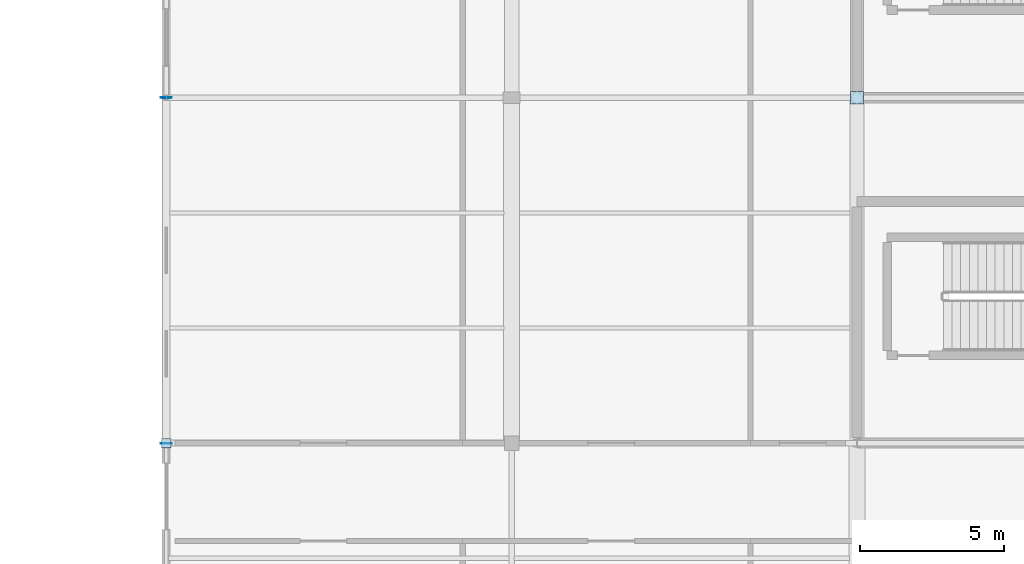
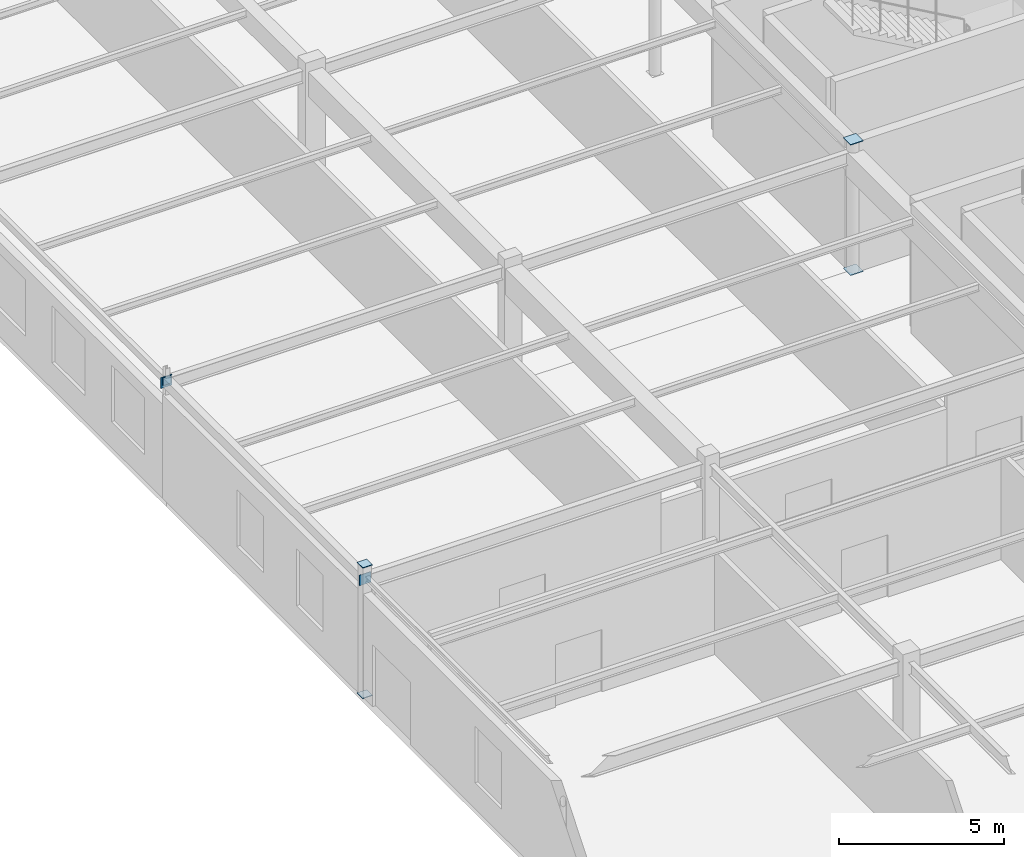
# One storey, part 138 of 199: 7 plates.
"""IFC4 building model written with IfcOpenShell, lengths in metres."""

from ifc_helpers import new_model, si_unit, direction, frame, origin, origin_2d, place, context, subcontext, project, spatial, rectangle, extrude, material, layer, layer_set, type_object, element, save


model = new_model("IFC4")

# Units and contexts
model_context = context("Model", 3, precision=1e-05, world=origin(), true_north=direction((0.0, 1.0)))
body_context = subcontext(model_context, "Body", "Model", "MODEL_VIEW")
ifc_project = project(units=[si_unit("LENGTHUNIT", "METRE"), si_unit("AREAUNIT", "SQUARE_METRE"), si_unit("VOLUMEUNIT", "CUBIC_METRE"), si_unit("PLANEANGLEUNIT", "RADIAN"), si_unit("MASSUNIT", "GRAM", prefix="KILO")], contexts=[model_context])

# Site, building, storey
site_placement = place(None, origin())
site = spatial("IfcSite", under=ifc_project, at=site_placement, CompositionType="ELEMENT")
building_placement = place(site_placement, origin())
building = spatial("IfcBuilding", under=site, at=building_placement, Name="Tarnwether General Hospital", CompositionType="ELEMENT")
storey_placement = place(building_placement, origin())
storey = spatial("IfcBuildingStorey", under=building, at=storey_placement, Name="L00", CompositionType="ELEMENT", Elevation=0.0)

# Plates
ifc_material = material(Name="Steel Grade 350 (350 MPa)", Category="steel")
ifc_layer = layer(ifc_material, 0.02490234375)
ifc_layer_set = layer_set([ifc_layer], Name="Steel Grade 350 (350 MPa)")
plate_type = type_object("IfcPlateType", Name="PT-GUS2", PredefinedType="USERDEFINED", material=ifc_layer_set)
for number, where, z_axis, x_axis, name in (
    (1, (0.0, 69.60009765625, -0.02490234375), (0.0, 0.0, 1.0), (1.0, 0.0, 0.0), "Hollow Section Welded End Cap Plate 0013"),
    (2, (0.0, 69.60009765625, 4.800048828125), (0.0, 0.0, 1.0), (1.0, 0.0, 0.0), "Hollow Section Welded End Cap Plate 0014"),
):
    element("IfcPlate", number, at=place(storey_placement, frame(where, z_axis=z_axis, x_axis=x_axis)), inside=storey, type_object=plate_type, Name=name, ObjectType="GUSSET", PredefinedType="USERDEFINED", context=body_context, shape_type="SweptSolid", body=[
        extrude(rectangle(XDim=0.340087890625, YDim=0.340087890625, at=origin_2d()), origin(), (0.0, 0.0, 1.0), 0.02490234375),
    ])
for number, where, z_axis, x_axis, name in (
    (3, (24.0, 81.60009765625, -0.02490234375), (0.0, 0.0, 1.0), (1.0, 0.0, 0.0), "Hollow Section Welded End Cap Plate 0047"),
    (4, (24.0, 81.60009765625, 4.800048828125), (0.0, 0.0, 1.0), (1.0, 0.0, 0.0), "Hollow Section Welded End Cap Plate 0048"),
):
    element("IfcPlate", number, at=place(storey_placement, frame(where, z_axis=z_axis, x_axis=x_axis)), inside=storey, type_object=plate_type, Name=name, ObjectType="GUSSET", PredefinedType="USERDEFINED", context=body_context, shape_type="SweptSolid", body=[
        extrude(rectangle(XDim=0.446044921875, YDim=0.446044921875, at=origin_2d()), origin(), (0.0, 0.0, 1.0), 0.02490234375),
    ])
for number, where, z_axis, x_axis, name in (
    (5, (0.0, 69.58740234375, 4.0751953125), (0.0, 0.0, 1.0), (0.0, 1.0, 0.0), "Hollow Section Welded End Cap Plate 0861"),
    (6, (0.0, 81.612548828125, 4.0751953125), (0.0, 0.0, 1.0), (0.0, 1.0, 0.0), "Hollow Section Welded End Cap Plate 0862"),
):
    element("IfcPlate", number, at=place(storey_placement, frame(where, z_axis=z_axis, x_axis=x_axis)), inside=storey, type_object=plate_type, Name=name, ObjectType="GUSSET", PredefinedType="USERDEFINED", context=body_context, shape_type="SweptSolid", body=[
        extrude(rectangle(XDim=0.02490234375, YDim=0.389892578125, at=origin_2d()), origin(), (0.0, 0.0, 1.0), 0.389892578125),
    ])
plate_placement = place(storey_placement, frame((0.0, 81.58740234375, 4.175048828125), z_axis=(0.0, 0.0, 1.0), x_axis=(0.0, 1.0, 0.0)))
element("IfcPlate", 7, at=plate_placement, inside=storey, type_object=plate_type, Name="Hollow Section Welded End Cap Plate 0863", ObjectType="GUSSET", PredefinedType="USERDEFINED", context=body_context, shape_type="SweptSolid", body=[
    extrude(rectangle(XDim=0.02490234375, YDim=0.2900390625, at=origin_2d()), origin(), (0.0, 0.0, 1.0), 0.2900390625),
])

save(model, "model.ifc")
